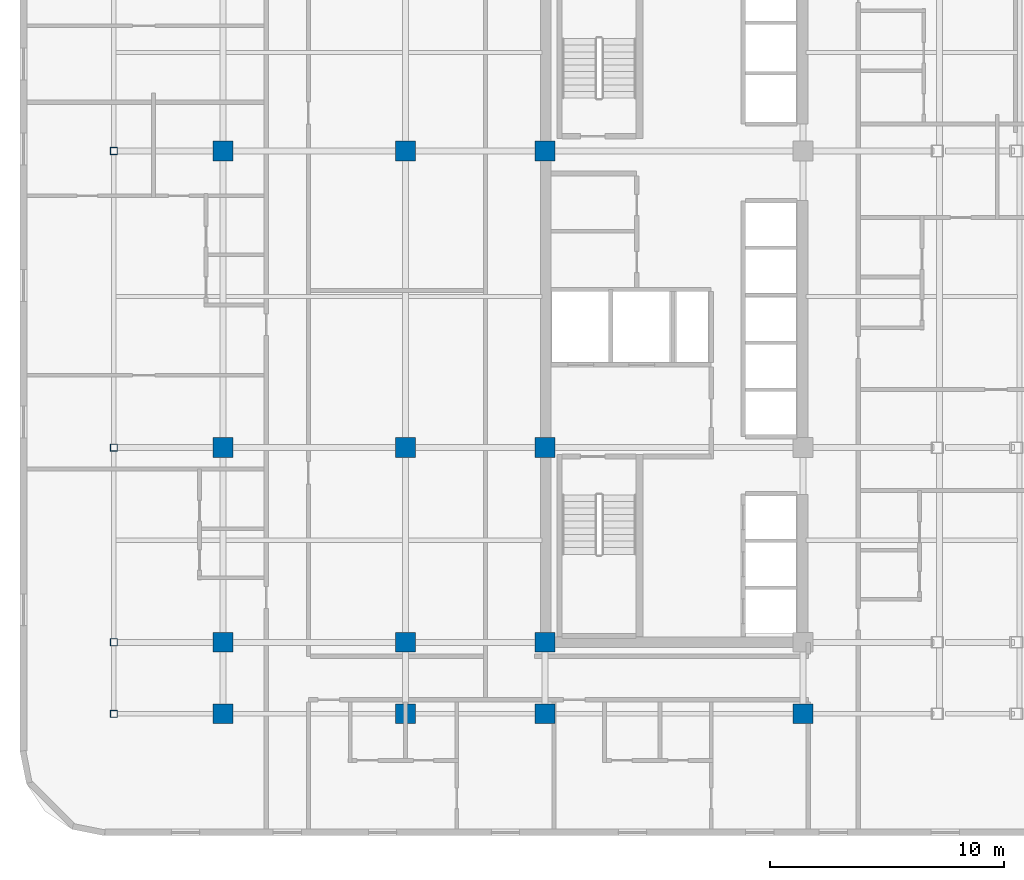
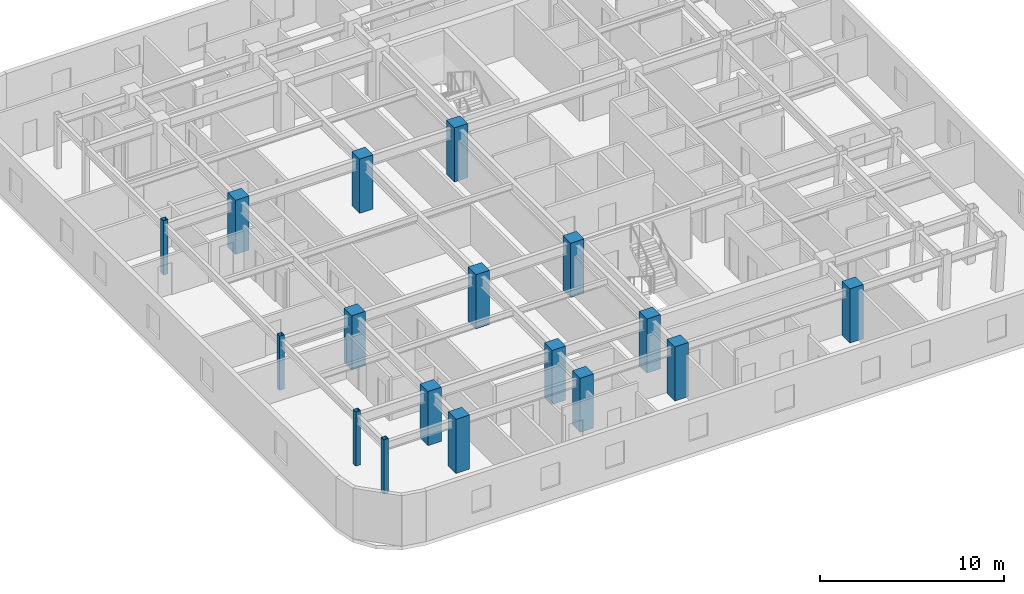
# One storey, part 1 of 12: 17 columns.
"""IFC4 building model written with IfcOpenShell, lengths in metres."""

from ifc_helpers import new_model, si_unit, direction, frame, origin, origin_2d, place, context, subcontext, project, spatial, rectangle, hollow_rectangle, extrude, material, material_profile, profile_set, type_object, element, save


model = new_model("IFC4")

# Units and contexts
model_context = context("Model", 3, precision=1e-05, world=origin(), true_north=direction((0.0, 1.0)))
body_context = subcontext(model_context, "Body", "Model", "MODEL_VIEW")
ifc_project = project(units=[si_unit("LENGTHUNIT", "METRE"), si_unit("AREAUNIT", "SQUARE_METRE"), si_unit("VOLUMEUNIT", "CUBIC_METRE"), si_unit("PLANEANGLEUNIT", "RADIAN"), si_unit("MASSUNIT", "GRAM", prefix="KILO")], contexts=[model_context])

# Site, building, storey
site_placement = place(None, origin())
site = spatial("IfcSite", under=ifc_project, at=site_placement, CompositionType="ELEMENT")
building_placement = place(site_placement, origin())
building = spatial("IfcBuilding", under=site, at=building_placement, Name="Ochreholt Gables", CompositionType="ELEMENT")
storey_placement = place(building_placement, frame((0.0, 0.0, 27.60009765625)))
storey = spatial("IfcBuildingStorey", under=building, at=storey_placement, Name="L06", CompositionType="ELEMENT", Elevation=27.60009765625)

# Columns
ifc_material_1 = material(Name="Steel CSA G40.21 350W", Category="steel")
ifc_material_profile_1 = material_profile(ifc_material_1, hollow_rectangle(XDim=0.304931640625, YDim=0.304931640625, WallThickness=0.0126953125, at=origin_2d()), Name="HSS305X305X13")
ifc_profile_set_1 = profile_set([ifc_material_profile_1], Name="Steel CSA G40.21 350W")
column_type_1 = type_object("IfcColumnType", Name="COL-HSS305-EXT", PredefinedType="COLUMN", material=ifc_profile_set_1)
for number, where, z_axis, x_axis, name in (
    (1, (5.800048828125, 6.199951171875, 0.0), (0.0, 0.0, 1.0), (1.0, 0.0, 0.0), "L06 Column WTY1"),
    (2, (5.800048828125, 9.25, 0.0), (0.0, 0.0, 1.0), (1.0, 0.0, 0.0), "L06 Column WTY2"),
    (3, (5.800048828125, 17.550048828125, 0.0), (0.0, 0.0, 1.0), (1.0, 0.0, 0.0), "L06 Column WTY3"),
    (4, (5.800048828125, 30.199951171875, 0.0), (0.0, 0.0, 1.0), (1.0, 0.0, 0.0), "L06 Column WTY4"),
):
    element("IfcColumn", number, at=place(storey_placement, frame(where, z_axis=z_axis, x_axis=x_axis)), inside=storey, type_object=column_type_1, Name=name, PredefinedType="COLUMN", context=body_context, shape_type="SweptSolid", body=[
        extrude(hollow_rectangle(XDim=0.304931640625, YDim=0.304931640625, WallThickness=0.0126953125, at=origin_2d()), origin(), (0.0, 0.0, 1.0), 3.599853515625),
    ])
ifc_material_2 = material(Name="Concrete 60 MPa", Category="concrete")
ifc_material_profile_2 = material_profile(ifc_material_2, rectangle(XDim=0.85009765625, YDim=0.85009765625, at=origin_2d()), Name="RC850X850")
ifc_profile_set_2 = profile_set([ifc_material_profile_2], Name="Concrete 60 MPa")
column_type_2 = type_object("IfcColumnType", Name="COL-RC850-EXT", PredefinedType="COLUMN", material=ifc_profile_set_2)
for number, where, z_axis, x_axis, name in (
    (5, (10.449951171875, 6.199951171875, 0.0), (0.0, 0.0, 1.0), (1.0, 0.0, 0.0), "L06 Column W2Y1"),
    (6, (18.25, 6.199951171875, 0.0), (0.0, 0.0, 1.0), (1.0, 0.0, 0.0), "L06 Column W3Y1"),
    (7, (24.199951171875, 6.199951171875, 0.0), (0.0, 0.0, 1.0), (1.0, 0.0, 0.0), "L06 Column C1Y1"),
    (8, (35.199951171875, 6.199951171875, 0.0), (0.0, 0.0, 1.0), (1.0, 0.0, 0.0), "L06 Column C2Y1"),
):
    element("IfcColumn", number, at=place(storey_placement, frame(where, z_axis=z_axis, x_axis=x_axis)), inside=storey, type_object=column_type_2, Name=name, PredefinedType="COLUMN", context=body_context, shape_type="SweptSolid", body=[
        extrude(rectangle(XDim=0.85009765625, YDim=0.85009765625, at=origin_2d()), origin(), (0.0, 0.0, 1.0), 3.599853515625),
    ])
ifc_material_profile_3 = material_profile(ifc_material_2, rectangle(XDim=0.85009765625, YDim=0.85009765625, at=origin_2d()), Name="RC850X850")
ifc_profile_set_3 = profile_set([ifc_material_profile_3], Name="Concrete 60 MPa")
column_type_3 = type_object("IfcColumnType", Name="COL-RC850-INT", PredefinedType="COLUMN", material=ifc_profile_set_3)
for number, where, z_axis, x_axis, name in (
    (9, (10.449951171875, 9.25, 0.0), (0.0, 0.0, 1.0), (1.0, 0.0, 0.0), "L06 Column W2Y2"),
    (10, (10.449951171875, 17.550048828125, 0.0), (0.0, 0.0, 1.0), (1.0, 0.0, 0.0), "L06 Column W2Y3"),
    (11, (10.449951171875, 30.199951171875, 0.0), (0.0, 0.0, 1.0), (1.0, 0.0, 0.0), "L06 Column W2Y4"),
    (12, (18.25, 9.25, 0.0), (0.0, 0.0, 1.0), (1.0, 0.0, 0.0), "L06 Column W3Y2"),
    (13, (18.25, 17.550048828125, 0.0), (0.0, 0.0, 1.0), (1.0, 0.0, 0.0), "L06 Column W3Y3"),
    (14, (18.25, 30.199951171875, 0.0), (0.0, 0.0, 1.0), (1.0, 0.0, 0.0), "L06 Column W3Y4"),
    (15, (24.199951171875, 9.25, 0.0), (0.0, 0.0, 1.0), (1.0, 0.0, 0.0), "L06 Column C1Y2"),
    (16, (24.199951171875, 17.550048828125, 0.0), (0.0, 0.0, 1.0), (1.0, 0.0, 0.0), "L06 Column C1Y3"),
    (17, (24.199951171875, 30.199951171875, 0.0), (0.0, 0.0, 1.0), (1.0, 0.0, 0.0), "L06 Column C1Y4"),
):
    element("IfcColumn", number, at=place(storey_placement, frame(where, z_axis=z_axis, x_axis=x_axis)), inside=storey, type_object=column_type_3, Name=name, PredefinedType="COLUMN", context=body_context, shape_type="SweptSolid", body=[
        extrude(rectangle(XDim=0.85009765625, YDim=0.85009765625, at=origin_2d()), origin(), (0.0, 0.0, 1.0), 3.599853515625),
    ])

save(model, "model.ifc")
